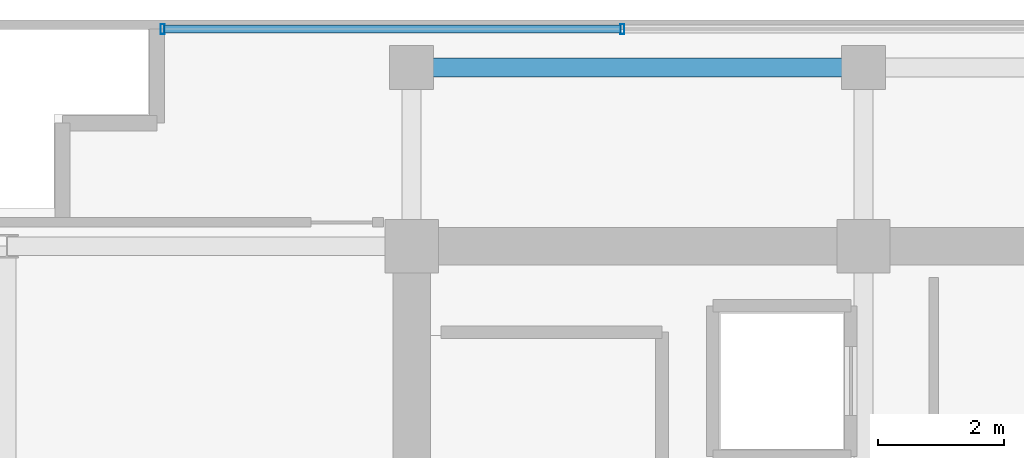
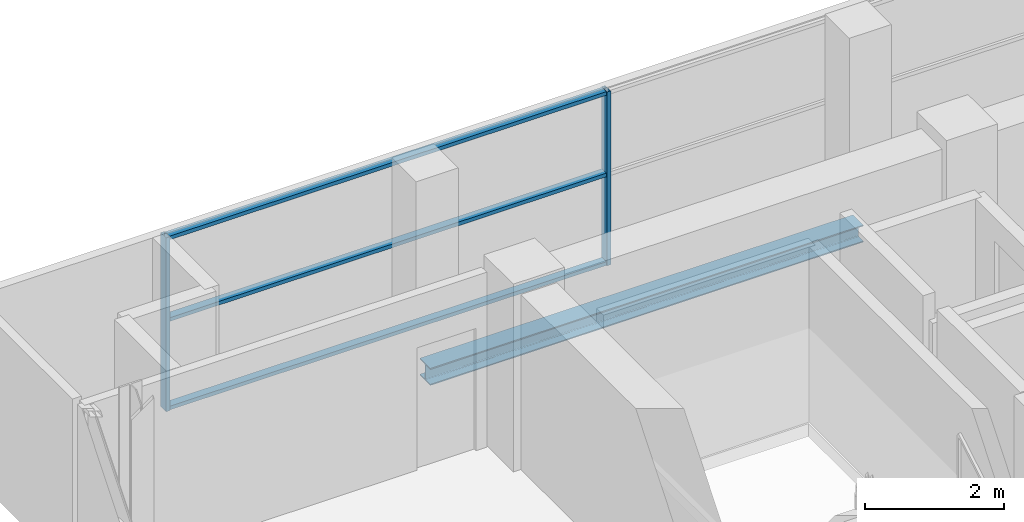
# One storey, part 16 of 28: 5 members, 1 beam, 1 element without a shape of its own.
"""IFC4 building model written with IfcOpenShell, lengths in metres."""

from ifc_helpers import new_model, si_unit, direction, frame, origin, origin_2d, place, context, subcontext, project, spatial, hollow_rectangle, i_section, extrude, source, transform, mapped, material, layer, layer_set, material_profile, profile_set, type_object, element, aggregate, save


model = new_model("IFC4")

# Units and contexts
model_context = context("Model", 3, precision=1e-05, world=origin(), true_north=direction((0.0, 1.0)))
body_context = subcontext(model_context, "Body", "Model", "MODEL_VIEW")
ifc_project = project(units=[si_unit("LENGTHUNIT", "METRE"), si_unit("AREAUNIT", "SQUARE_METRE"), si_unit("VOLUMEUNIT", "CUBIC_METRE"), si_unit("PLANEANGLEUNIT", "RADIAN"), si_unit("MASSUNIT", "GRAM", prefix="KILO")], contexts=[model_context])

# Site, building, storey
site_placement = place(None, origin())
site = spatial("IfcSite", under=ifc_project, at=site_placement, CompositionType="ELEMENT")
building_placement = place(site_placement, origin())
building = spatial("IfcBuilding", under=site, at=building_placement, Name="Zarnakvel Exchange Tower", CompositionType="ELEMENT")
storey_placement = place(building_placement, frame((0.0, 0.0, 261.699951171875)))
storey = spatial("IfcBuildingStorey", under=building, at=storey_placement, Name="L74", CompositionType="ELEMENT", Elevation=261.699951171875)

# Beam
ifc_material_1 = material(Name="Steel S355", Category="steel")
ifc_material_profile_1 = material_profile(ifc_material_1, i_section(OverallWidth=0.300048828125, OverallDepth=0.300048828125, WebThickness=0.010986328125, FlangeThickness=0.01904296875, FilletRadius=0.027099609375, at=origin_2d()))
ifc_profile_set_1 = profile_set([ifc_material_profile_1], Name="Steel S355")
beam_type = type_object("IfcBeamType", Name="SP-03", PredefinedType="SPANDREL", material=ifc_profile_set_1)
beam_placement = place(storey_placement, frame((-14.39990234375, 16.35009765625, -0.375), z_axis=(1.0, 0.0, 0.0), x_axis=(0.0, 1.0, 0.0)))
element("IfcBeam", 1, at=beam_placement, inside=storey, type_object=beam_type, Name="L74 Tower E-W Frame Beam", PredefinedType="SPANDREL", context=body_context, shape_type="SweptSolid", body=[
    extrude(i_section(OverallWidth=0.300048828125, OverallDepth=0.300048828125, WebThickness=0.010986328125, FlangeThickness=0.01904296875, FilletRadius=0.027099609375, at=origin_2d()), origin(), (0.0, 0.0, 1.0), 7.199951171875),
])

# Curtain wall, members
ifc_material_2 = material(Name="Architectural Bronze Anodised Aluminium", Category="aluminium")
ifc_layer = layer(ifc_material_2, 0.159912109375)
ifc_layer_set = layer_set([ifc_layer], Name="Architectural Bronze Anodised Aluminium")
curtain_wall_type = type_object("IfcCurtainWallType", Name="CW-06", PredefinedType="NOTDEFINED", material=ifc_layer_set)
curtain_wall_placement = place(storey_placement, origin())
curtain_wall = element("IfcCurtainWall", 2, at=curtain_wall_placement, inside=storey, type_object=curtain_wall_type, Name="L74 Curtain Wall CW-L74-N1 (CW-06)", PredefinedType="NOTDEFINED")
ifc_material_profile_2 = material_profile(ifc_material_2, hollow_rectangle(XDim=0.1298828125, YDim=0.06494140625, WallThickness=0.00390625, at=origin_2d()))
ifc_profile_set_2 = profile_set([ifc_material_profile_2], Name="Architectural Bronze Anodised Aluminium")
member_type_1 = type_object("IfcMemberType", Name="CWT-06", PredefinedType="USERDEFINED", material=ifc_profile_set_2)
shared_shape_1 = source(origin(), body_context, "Body", "SweptSolid", [
    extrude(hollow_rectangle(XDim=0.1298828125, YDim=0.06494140625, WallThickness=0.00390625, at=origin_2d()), origin(), (0.0, 0.0, 1.0), 7.262451171875),
])
member_1_placement = place(storey_placement, frame((-18.3349609375, 16.9599609375, 0.032470703125), z_axis=(1.0, 0.0, 0.0), x_axis=(0.0, 1.0, 0.0)))
member_1 = element("IfcMember", 3, at=member_1_placement, type_object=member_type_1, Name="CW-06 transom 1.1", ObjectType="TRANSOM", PredefinedType="USERDEFINED", context=body_context, shape_type="MappedRepresentation", body=[
    mapped(shared_shape_1, transform((0.0, 0.0, 0.0), x_axis=(1.0, 0.0, 0.0), y_axis=(0.0, 1.0, 0.0), z_axis=(0.0, 0.0, 1.0), scale=1.0)),
])
member_2_placement = place(storey_placement, frame((-18.3349609375, 16.9599609375, 1.588623046875), z_axis=(1.0, 0.0, 0.0), x_axis=(0.0, 1.0, 0.0)))
member_2 = element("IfcMember", 4, at=member_2_placement, type_object=member_type_1, Name="CW-06 transom 1.2", ObjectType="TRANSOM", PredefinedType="USERDEFINED", context=body_context, shape_type="MappedRepresentation", body=[
    mapped(shared_shape_1, transform((0.0, 0.0, 0.0), x_axis=(1.0, 0.0, 0.0), y_axis=(0.0, 1.0, 0.0), z_axis=(0.0, 0.0, 1.0), scale=1.0)),
])
member_3_placement = place(storey_placement, frame((-18.3349609375, 16.9599609375, 3.0224609375), z_axis=(1.0, 0.0, 0.0), x_axis=(0.0, 1.0, 0.0)))
member_3 = element("IfcMember", 5, at=member_3_placement, type_object=member_type_1, Name="CW-06 transom 1.3", ObjectType="TRANSOM", PredefinedType="USERDEFINED", context=body_context, shape_type="MappedRepresentation", body=[
    mapped(shared_shape_1, transform((0.0, 0.0, 0.0), x_axis=(1.0, 0.0, 0.0), y_axis=(0.0, 1.0, 0.0), z_axis=(0.0, 0.0, 1.0), scale=1.0)),
])
ifc_material_profile_3 = material_profile(ifc_material_2, hollow_rectangle(XDim=0.159912109375, YDim=0.06494140625, WallThickness=0.00390625, at=origin_2d()))
ifc_profile_set_3 = profile_set([ifc_material_profile_3], Name="Architectural Bronze Anodised Aluminium")
member_type_2 = type_object("IfcMemberType", Name="CWM-06", PredefinedType="MULLION", material=ifc_profile_set_3)
shared_shape_2 = source(origin(), body_context, "Body", "SweptSolid", [
    extrude(hollow_rectangle(XDim=0.159912109375, YDim=0.06494140625, WallThickness=0.00390625, at=origin_2d()), origin(), (0.0, 0.0, 1.0), 3.054931640625),
])
member_4_placement = place(storey_placement, frame((-18.367431640625, 16.9599609375, 0.0), z_axis=(0.0, 0.0, 1.0), x_axis=(0.0, 1.0, 0.0)))
member_4 = element("IfcMember", 6, at=member_4_placement, type_object=member_type_2, Name="CW-06 mullion 1", PredefinedType="MULLION", context=body_context, shape_type="MappedRepresentation", body=[
    mapped(shared_shape_2, transform((0.0, 0.0, 0.0), x_axis=(1.0, 0.0, 0.0), y_axis=(0.0, 1.0, 0.0), z_axis=(0.0, 0.0, 1.0), scale=1.0)),
])
member_5_placement = place(storey_placement, frame((-11.0400390625, 16.9599609375, 0.0), z_axis=(0.0, 0.0, 1.0), x_axis=(0.0, 1.0, 0.0)))
member_5 = element("IfcMember", 7, at=member_5_placement, type_object=member_type_2, Name="CW-06 mullion 2", PredefinedType="MULLION", context=body_context, shape_type="MappedRepresentation", body=[
    mapped(shared_shape_2, transform((0.0, 0.0, 0.0), x_axis=(1.0, 0.0, 0.0), y_axis=(0.0, 1.0, 0.0), z_axis=(0.0, 0.0, 1.0), scale=1.0)),
])
aggregate(curtain_wall, [member_4, member_5, member_1, member_2, member_3])

save(model, "model.ifc")
